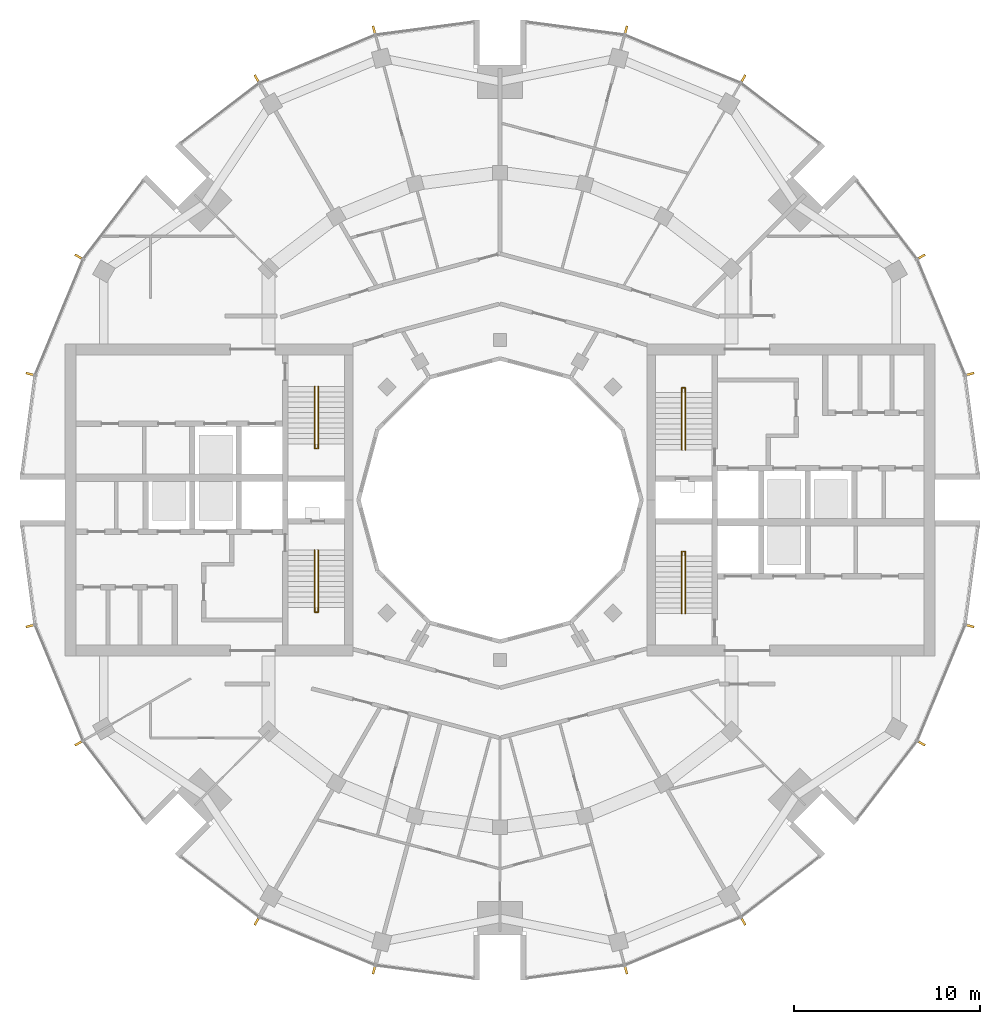
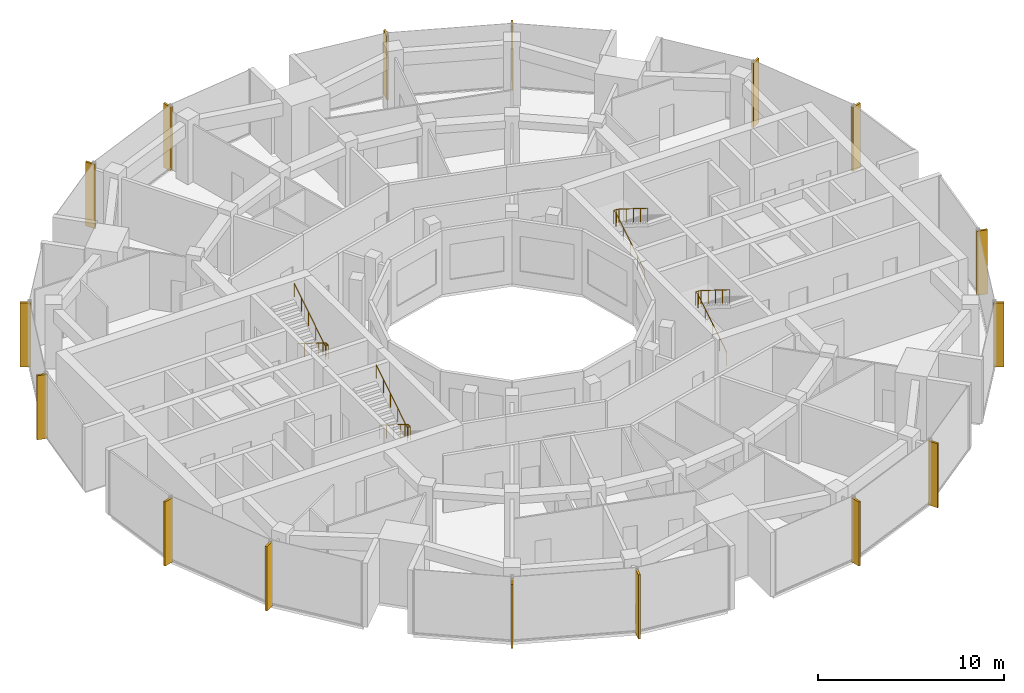
# One storey, part 14 of 15: 16 shading devices, 4 railings.
"""IFC4 building model written with IfcOpenShell, lengths in metres."""

from ifc_helpers import new_model, si_unit, direction, frame, origin, origin_2d, place, context, subcontext, project, spatial, rectangle, circle, extrude, material, material_profile, profile_set, type_object, element, save


model = new_model("IFC4")

# Units and contexts
model_context = context("Model", 3, precision=1e-05, world=origin(), true_north=direction((0.0, 1.0)))
body_context = subcontext(model_context, "Body", "Model", "MODEL_VIEW")
ifc_project = project(units=[si_unit("LENGTHUNIT", "METRE"), si_unit("AREAUNIT", "SQUARE_METRE"), si_unit("VOLUMEUNIT", "CUBIC_METRE"), si_unit("PLANEANGLEUNIT", "RADIAN"), si_unit("MASSUNIT", "GRAM", prefix="KILO")], contexts=[model_context])

# Site, building, storey
site_placement = place(None, origin())
site = spatial("IfcSite", under=ifc_project, at=site_placement, CompositionType="ELEMENT")
building_placement = place(site_placement, origin())
building = spatial("IfcBuilding", under=site, at=building_placement, Name="Torre Brocal", CompositionType="ELEMENT")
storey_placement = place(building_placement, frame((0.0, 0.0, 216.699951171875)))
storey = spatial("IfcBuildingStorey", under=building, at=storey_placement, Name="L50", CompositionType="ELEMENT", Elevation=216.699951171875)

# Shading devices
ifc_material_1 = material(Name="Aluminium, black anodised", Category="aluminium")
ifc_material_profile = material_profile(ifc_material_1, rectangle(XDim=0.1201171875, YDim=0.60009765625, at=origin_2d()), Name="FIN 120X600 4200 HIGH")
ifc_profile_set = profile_set([ifc_material_profile], Name="Aluminium, black anodised")
shading_device_type = type_object("IfcShadingDeviceType", Name="FIN 120X600 4200 HIGH", PredefinedType="USERDEFINED", material=ifc_profile_set)
for number, where, z_axis, x_axis, name in (
    (1, (105.208984375, 81.754638671875, -0.14990234375), (0.0, 0.0, 1.0), (-0.258819045103, 0.965925826289, 0.0), "FIN"),
    (2, (102.601806640625, 88.049072265625, -0.14990234375), (0.0, 0.0, 1.0), (-0.5, 0.866025403784, 0.0), "FIN"),
    (3, (93.049072265625, 97.601806640625, -0.14990234375), (0.0, 0.0, 1.0), (-0.866025403784, 0.5, 0.0), "FIN"),
    (4, (86.754638671875, 100.208984375, -0.14990234375), (0.0, 0.0, 1.0), (-0.965925826289, 0.258819045103, 0.0), "FIN"),
    (5, (73.245361328125, 100.208984375, -0.14990234375), (0.0, 0.0, 1.0), (-0.965925826289, -0.258819045103, 0.0), "FIN"),
    (6, (66.950927734375, 97.601806640625, -0.14990234375), (0.0, 0.0, 1.0), (-0.866025403784, -0.5, 0.0), "FIN"),
    (7, (57.398193359375, 88.049072265625, -0.14990234375), (0.0, 0.0, 1.0), (-0.5, -0.866025403784, 0.0), "FIN"),
    (8, (54.791015625, 81.754638671875, -0.14990234375), (0.0, 0.0, 1.0), (-0.258819045103, -0.965925826289, 0.0), "FIN"),
    (9, (54.791015625, 68.245361328125, -0.14990234375), (0.0, 0.0, 1.0), (0.258819045103, -0.965925826289, 0.0), "FIN"),
    (10, (57.398193359375, 61.950927734375, -0.14990234375), (0.0, 0.0, 1.0), (0.5, -0.866025403784, 0.0), "FIN"),
    (11, (66.950927734375, 52.398193359375, -0.14990234375), (0.0, 0.0, 1.0), (0.866025403784, -0.5, 0.0), "FIN"),
    (12, (73.245361328125, 49.791015625, -0.14990234375), (0.0, 0.0, 1.0), (0.965925826289, -0.258819045103, 0.0), "FIN"),
    (13, (86.754638671875, 49.791015625, -0.14990234375), (0.0, 0.0, 1.0), (0.965925826289, 0.258819045103, 0.0), "FIN"),
    (14, (93.049072265625, 52.398193359375, -0.14990234375), (0.0, 0.0, 1.0), (0.866025403784, 0.5, 0.0), "FIN"),
    (15, (102.601806640625, 61.950927734375, -0.14990234375), (0.0, 0.0, 1.0), (0.5, 0.866025403784, 0.0), "FIN"),
    (16, (105.208984375, 68.245361328125, -0.14990234375), (0.0, 0.0, 1.0), (0.258819045103, 0.965925826289, 0.0), "FIN"),
):
    element("IfcShadingDevice", number, at=place(storey_placement, frame(where, z_axis=z_axis, x_axis=x_axis)), inside=storey, type_object=shading_device_type, Name=name, ObjectType="FIN", PredefinedType="USERDEFINED", context=body_context, shape_type="SweptSolid", body=[
        extrude(rectangle(XDim=0.1201171875, YDim=0.60009765625, at=origin_2d()), origin(), (0.0, 0.0, 1.0), 4.199951171875),
    ])

# Railings
ifc_material_2 = material(Name="Stainless steel AISI 316", Category="steel")
railing_type = type_object("IfcRailingType", Name="STAIR HANDRAIL", PredefinedType="HANDRAIL", material=ifc_material_2)
railing_1_placement = place(storey_placement, frame((89.780029296875, 77.699951171875, 0.175048828125)))
element("IfcRailing", 17, at=railing_1_placement, inside=storey, type_object=railing_type, Name="HANDRAIL ST1", PredefinedType="HANDRAIL", context=body_context, shape_type="SweptSolid", body=[
    extrude(circle(Radius=0.02392578125, at=origin_2d()), frame((0.0, 0.0, 0.8759765625), z_axis=(0.0, 0.847998304005, 0.529998940003), x_axis=(-1.0, 0.0, 0.0)), (0.0, 0.0, 1.0), 3.632080078125),
    extrude(circle(Radius=0.02392578125, at=origin_2d()), frame((0.0, 3.080078125, 2.80078125), z_axis=(0.0, 1.0, 0.0), x_axis=(-1.0, 0.0, 0.0)), (0.0, 0.0, 1.0), 0.25),
    extrude(circle(Radius=0.02392578125, at=origin_2d()), frame((0.0, 3.330078125, 2.80078125), z_axis=(1.0, 0.0, 0.0), x_axis=(0.0, 1.0, 0.0)), (0.0, 0.0, 1.0), 0.18994140625),
    extrude(circle(Radius=0.02392578125, at=origin_2d()), frame((0.18994140625, 3.330078125, 2.80078125), z_axis=(0.0, -0.819156749665, 0.573569716318), x_axis=(1.0, 0.0, 0.0)), (0.0, 0.0, 1.0), 0.30517578125),
    extrude(circle(Radius=0.02392578125, at=origin_2d()), frame((0.18994140625, 3.080078125, 2.97607421875), z_axis=(0.0, -0.848028513186, 0.529950602248), x_axis=(1.0, 0.0, 0.0)), (0.0, 0.0, 1.0), 3.632080078125),
    extrude(circle(Radius=0.02099609375, at=origin_2d()), origin(), (0.0, 0.0, 1.0), 0.851806640625),
    extrude(circle(Radius=0.02099609375, at=origin_2d()), frame((0.0, 0.77001953125, 0.481201171875)), (0.0, 0.0, 1.0), 0.851806640625),
    extrude(circle(Radius=0.02099609375, at=origin_2d()), frame((0.0, 1.5400390625, 0.96240234375)), (0.0, 0.0, 1.0), 0.851806640625),
    extrude(circle(Radius=0.02099609375, at=origin_2d()), frame((0.0, 2.31005859375, 1.44384765625)), (0.0, 0.0, 1.0), 0.851806640625),
    extrude(circle(Radius=0.02099609375, at=origin_2d()), frame((0.0, 3.080078125, 1.925048828125)), (0.0, 0.0, 1.0), 0.851806640625),
    extrude(circle(Radius=0.02099609375, at=origin_2d()), frame((0.0, 3.330078125, 1.925048828125)), (0.0, 0.0, 1.0), 0.851806640625),
    extrude(circle(Radius=0.02099609375, at=origin_2d()), frame((0.18994140625, 3.330078125, 1.925048828125)), (0.0, 0.0, 1.0), 0.851806640625),
    extrude(circle(Radius=0.02099609375, at=origin_2d()), frame((0.18994140625, 3.080078125, 2.10009765625)), (0.0, 0.0, 1.0), 0.851806640625),
    extrude(circle(Radius=0.02099609375, at=origin_2d()), frame((0.18994140625, 2.31005859375, 2.581298828125)), (0.0, 0.0, 1.0), 0.851806640625),
    extrude(circle(Radius=0.02099609375, at=origin_2d()), frame((0.18994140625, 1.5400390625, 3.0625)), (0.0, 0.0, 1.0), 0.851806640625),
    extrude(circle(Radius=0.02099609375, at=origin_2d()), frame((0.18994140625, 0.77001953125, 3.543701171875)), (0.0, 0.0, 1.0), 0.851806640625),
    extrude(circle(Radius=0.02099609375, at=origin_2d()), frame((0.18994140625, 0.0, 4.02490234375)), (0.0, 0.0, 1.0), 0.851806640625),
])
railing_2_placement = place(storey_placement, frame((89.780029296875, 68.89990234375, 0.175048828125)))
element("IfcRailing", 18, at=railing_2_placement, inside=storey, type_object=railing_type, Name="HANDRAIL ST2", PredefinedType="HANDRAIL", context=body_context, shape_type="SweptSolid", body=[
    extrude(circle(Radius=0.02392578125, at=origin_2d()), frame((0.0, 0.0, 0.8759765625), z_axis=(0.0, 0.847998304005, 0.529998940003), x_axis=(-1.0, 0.0, 0.0)), (0.0, 0.0, 1.0), 3.632080078125),
    extrude(circle(Radius=0.02392578125, at=origin_2d()), frame((0.0, 3.080078125, 2.80078125), z_axis=(0.0, 1.0, 0.0), x_axis=(-1.0, 0.0, 0.0)), (0.0, 0.0, 1.0), 0.25),
    extrude(circle(Radius=0.02392578125, at=origin_2d()), frame((0.0, 3.330078125, 2.80078125), z_axis=(1.0, 0.0, 0.0), x_axis=(0.0, 1.0, 0.0)), (0.0, 0.0, 1.0), 0.18994140625),
    extrude(circle(Radius=0.02392578125, at=origin_2d()), frame((0.18994140625, 3.330078125, 2.80078125), z_axis=(0.0, -0.819156749665, 0.573569716318), x_axis=(1.0, 0.0, 0.0)), (0.0, 0.0, 1.0), 0.30517578125),
    extrude(circle(Radius=0.02392578125, at=origin_2d()), frame((0.18994140625, 3.080078125, 2.97607421875), z_axis=(0.0, -0.848028513186, 0.529950602248), x_axis=(1.0, 0.0, 0.0)), (0.0, 0.0, 1.0), 3.632080078125),
    extrude(circle(Radius=0.02099609375, at=origin_2d()), origin(), (0.0, 0.0, 1.0), 0.851806640625),
    extrude(circle(Radius=0.02099609375, at=origin_2d()), frame((0.0, 0.77001953125, 0.481201171875)), (0.0, 0.0, 1.0), 0.851806640625),
    extrude(circle(Radius=0.02099609375, at=origin_2d()), frame((0.0, 1.5400390625, 0.96240234375)), (0.0, 0.0, 1.0), 0.851806640625),
    extrude(circle(Radius=0.02099609375, at=origin_2d()), frame((0.0, 2.31005859375, 1.44384765625)), (0.0, 0.0, 1.0), 0.851806640625),
    extrude(circle(Radius=0.02099609375, at=origin_2d()), frame((0.0, 3.080078125, 1.925048828125)), (0.0, 0.0, 1.0), 0.851806640625),
    extrude(circle(Radius=0.02099609375, at=origin_2d()), frame((0.0, 3.330078125, 1.925048828125)), (0.0, 0.0, 1.0), 0.851806640625),
    extrude(circle(Radius=0.02099609375, at=origin_2d()), frame((0.18994140625, 3.330078125, 1.925048828125)), (0.0, 0.0, 1.0), 0.851806640625),
    extrude(circle(Radius=0.02099609375, at=origin_2d()), frame((0.18994140625, 3.080078125, 2.10009765625)), (0.0, 0.0, 1.0), 0.851806640625),
    extrude(circle(Radius=0.02099609375, at=origin_2d()), frame((0.18994140625, 2.31005859375, 2.581298828125)), (0.0, 0.0, 1.0), 0.851806640625),
    extrude(circle(Radius=0.02099609375, at=origin_2d()), frame((0.18994140625, 1.5400390625, 3.0625)), (0.0, 0.0, 1.0), 0.851806640625),
    extrude(circle(Radius=0.02099609375, at=origin_2d()), frame((0.18994140625, 0.77001953125, 3.543701171875)), (0.0, 0.0, 1.0), 0.851806640625),
    extrude(circle(Radius=0.02099609375, at=origin_2d()), frame((0.18994140625, 0.0, 4.02490234375)), (0.0, 0.0, 1.0), 0.851806640625),
])
railing_3_placement = place(storey_placement, frame((70.219970703125, 72.300048828125, 0.175048828125)))
element("IfcRailing", 19, at=railing_3_placement, inside=storey, type_object=railing_type, Name="HANDRAIL ST3", PredefinedType="HANDRAIL", context=body_context, shape_type="SweptSolid", body=[
    extrude(circle(Radius=0.02392578125, at=origin_2d()), frame((0.0, 0.0, 0.8759765625), z_axis=(0.0, -0.847998304005, 0.529998940003), x_axis=(1.0, 0.0, 0.0)), (0.0, 0.0, 1.0), 3.632080078125),
    extrude(circle(Radius=0.02392578125, at=origin_2d()), frame((0.0, -3.080078125, 2.80078125), z_axis=(0.0, -1.0, 0.0), x_axis=(1.0, 0.0, 0.0)), (0.0, 0.0, 1.0), 0.25),
    extrude(circle(Radius=0.02392578125, at=origin_2d()), frame((0.0, -3.330078125, 2.80078125), z_axis=(-1.0, 0.0, 0.0), x_axis=(0.0, -1.0, 0.0)), (0.0, 0.0, 1.0), 0.18994140625),
    extrude(circle(Radius=0.02392578125, at=origin_2d()), frame((-0.18994140625, -3.330078125, 2.80078125), z_axis=(0.0, 0.819156749665, 0.573569716318), x_axis=(-1.0, 0.0, 0.0)), (0.0, 0.0, 1.0), 0.30517578125),
    extrude(circle(Radius=0.02392578125, at=origin_2d()), frame((-0.18994140625, -3.080078125, 2.97607421875), z_axis=(0.0, 0.848028513186, 0.529950602248), x_axis=(-1.0, 0.0, 0.0)), (0.0, 0.0, 1.0), 3.632080078125),
    extrude(circle(Radius=0.02099609375, at=origin_2d()), origin(), (0.0, 0.0, 1.0), 0.851806640625),
    extrude(circle(Radius=0.02099609375, at=origin_2d()), frame((0.0, -0.77001953125, 0.481201171875)), (0.0, 0.0, 1.0), 0.851806640625),
    extrude(circle(Radius=0.02099609375, at=origin_2d()), frame((0.0, -1.5400390625, 0.96240234375)), (0.0, 0.0, 1.0), 0.851806640625),
    extrude(circle(Radius=0.02099609375, at=origin_2d()), frame((0.0, -2.31005859375, 1.44384765625)), (0.0, 0.0, 1.0), 0.851806640625),
    extrude(circle(Radius=0.02099609375, at=origin_2d()), frame((0.0, -3.080078125, 1.925048828125)), (0.0, 0.0, 1.0), 0.851806640625),
    extrude(circle(Radius=0.02099609375, at=origin_2d()), frame((0.0, -3.330078125, 1.925048828125)), (0.0, 0.0, 1.0), 0.851806640625),
    extrude(circle(Radius=0.02099609375, at=origin_2d()), frame((-0.18994140625, -3.330078125, 1.925048828125)), (0.0, 0.0, 1.0), 0.851806640625),
    extrude(circle(Radius=0.02099609375, at=origin_2d()), frame((-0.18994140625, -3.080078125, 2.10009765625)), (0.0, 0.0, 1.0), 0.851806640625),
    extrude(circle(Radius=0.02099609375, at=origin_2d()), frame((-0.18994140625, -2.31005859375, 2.581298828125)), (0.0, 0.0, 1.0), 0.851806640625),
    extrude(circle(Radius=0.02099609375, at=origin_2d()), frame((-0.18994140625, -1.5400390625, 3.0625)), (0.0, 0.0, 1.0), 0.851806640625),
    extrude(circle(Radius=0.02099609375, at=origin_2d()), frame((-0.18994140625, -0.77001953125, 3.543701171875)), (0.0, 0.0, 1.0), 0.851806640625),
    extrude(circle(Radius=0.02099609375, at=origin_2d()), frame((-0.18994140625, 0.0, 4.02490234375)), (0.0, 0.0, 1.0), 0.851806640625),
])
railing_4_placement = place(storey_placement, frame((70.219970703125, 81.10009765625, 0.175048828125)))
element("IfcRailing", 20, at=railing_4_placement, inside=storey, type_object=railing_type, Name="HANDRAIL ST4", PredefinedType="HANDRAIL", context=body_context, shape_type="SweptSolid", body=[
    extrude(circle(Radius=0.02392578125, at=origin_2d()), frame((0.0, 0.0, 0.8759765625), z_axis=(0.0, -0.847998304005, 0.529998940003), x_axis=(1.0, 0.0, 0.0)), (0.0, 0.0, 1.0), 3.632080078125),
    extrude(circle(Radius=0.02392578125, at=origin_2d()), frame((0.0, -3.080078125, 2.80078125), z_axis=(0.0, -1.0, 0.0), x_axis=(1.0, 0.0, 0.0)), (0.0, 0.0, 1.0), 0.25),
    extrude(circle(Radius=0.02392578125, at=origin_2d()), frame((0.0, -3.330078125, 2.80078125), z_axis=(-1.0, 0.0, 0.0), x_axis=(0.0, -1.0, 0.0)), (0.0, 0.0, 1.0), 0.18994140625),
    extrude(circle(Radius=0.02392578125, at=origin_2d()), frame((-0.18994140625, -3.330078125, 2.80078125), z_axis=(0.0, 0.819156749665, 0.573569716318), x_axis=(-1.0, 0.0, 0.0)), (0.0, 0.0, 1.0), 0.30517578125),
    extrude(circle(Radius=0.02392578125, at=origin_2d()), frame((-0.18994140625, -3.080078125, 2.97607421875), z_axis=(0.0, 0.848028513186, 0.529950602248), x_axis=(-1.0, 0.0, 0.0)), (0.0, 0.0, 1.0), 3.632080078125),
    extrude(circle(Radius=0.02099609375, at=origin_2d()), origin(), (0.0, 0.0, 1.0), 0.851806640625),
    extrude(circle(Radius=0.02099609375, at=origin_2d()), frame((0.0, -0.77001953125, 0.481201171875)), (0.0, 0.0, 1.0), 0.851806640625),
    extrude(circle(Radius=0.02099609375, at=origin_2d()), frame((0.0, -1.5400390625, 0.96240234375)), (0.0, 0.0, 1.0), 0.851806640625),
    extrude(circle(Radius=0.02099609375, at=origin_2d()), frame((0.0, -2.31005859375, 1.44384765625)), (0.0, 0.0, 1.0), 0.851806640625),
    extrude(circle(Radius=0.02099609375, at=origin_2d()), frame((0.0, -3.080078125, 1.925048828125)), (0.0, 0.0, 1.0), 0.851806640625),
    extrude(circle(Radius=0.02099609375, at=origin_2d()), frame((0.0, -3.330078125, 1.925048828125)), (0.0, 0.0, 1.0), 0.851806640625),
    extrude(circle(Radius=0.02099609375, at=origin_2d()), frame((-0.18994140625, -3.330078125, 1.925048828125)), (0.0, 0.0, 1.0), 0.851806640625),
    extrude(circle(Radius=0.02099609375, at=origin_2d()), frame((-0.18994140625, -3.080078125, 2.10009765625)), (0.0, 0.0, 1.0), 0.851806640625),
    extrude(circle(Radius=0.02099609375, at=origin_2d()), frame((-0.18994140625, -2.31005859375, 2.581298828125)), (0.0, 0.0, 1.0), 0.851806640625),
    extrude(circle(Radius=0.02099609375, at=origin_2d()), frame((-0.18994140625, -1.5400390625, 3.0625)), (0.0, 0.0, 1.0), 0.851806640625),
    extrude(circle(Radius=0.02099609375, at=origin_2d()), frame((-0.18994140625, -0.77001953125, 3.543701171875)), (0.0, 0.0, 1.0), 0.851806640625),
    extrude(circle(Radius=0.02099609375, at=origin_2d()), frame((-0.18994140625, 0.0, 4.02490234375)), (0.0, 0.0, 1.0), 0.851806640625),
])

save(model, "model.ifc")
